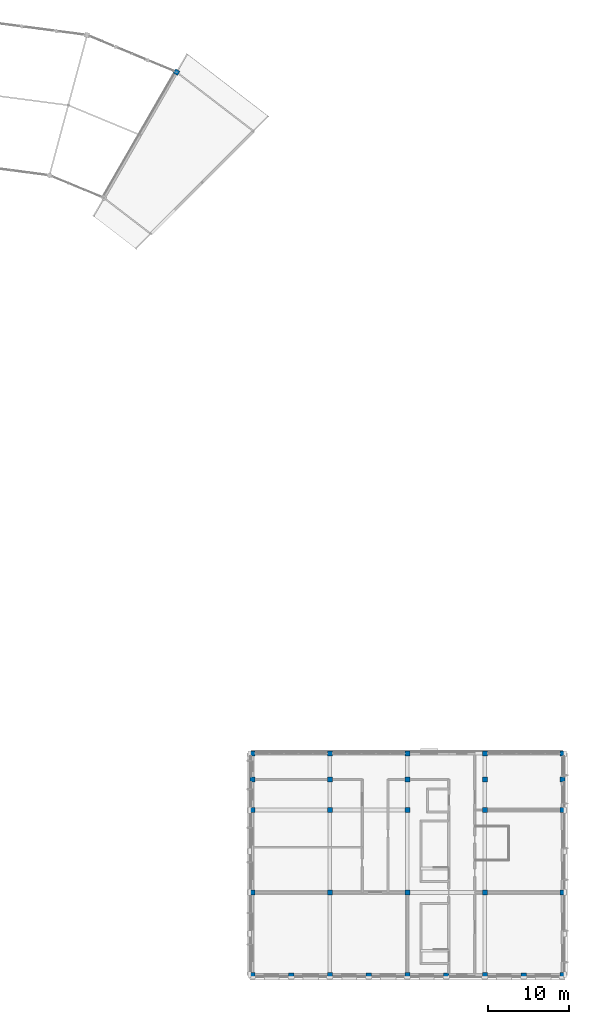
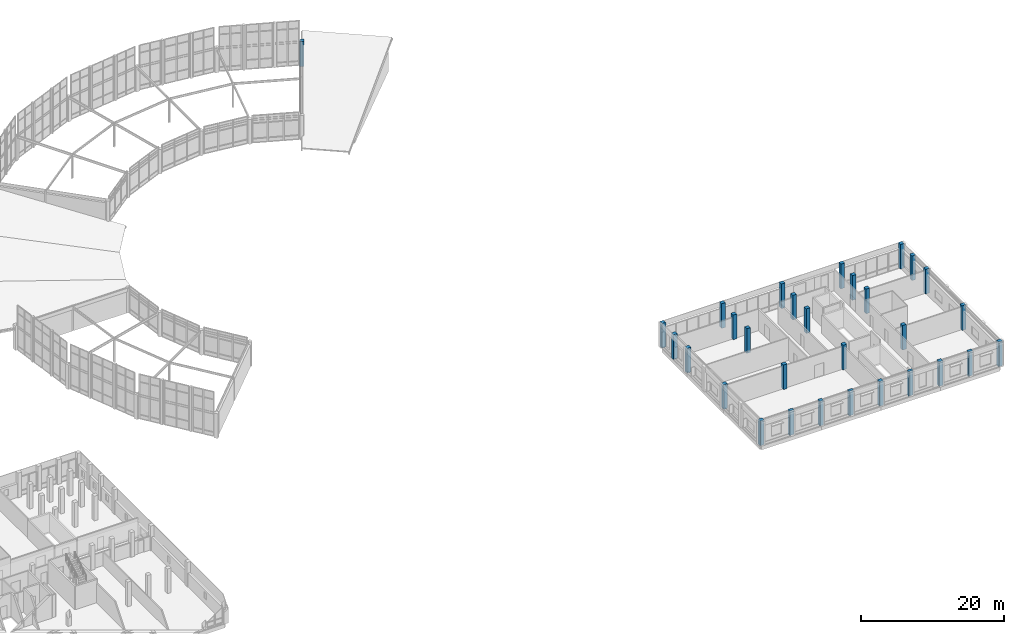
# One storey, part 7 of 93: 30 columns.
"""IFC4 building model written with IfcOpenShell, lengths in metres."""

from ifc_helpers import new_model, si_unit, direction, frame, origin, origin_2d, place, context, subcontext, project, spatial, rectangle, extrude, material, material_profile, profile_set, type_object, element, save


model = new_model("IFC4")

# Units and contexts
model_context = context("Model", 3, precision=1e-05, world=origin(), true_north=direction((0.0, 1.0)))
body_context = subcontext(model_context, "Body", "Model", "MODEL_VIEW")
ifc_project = project(units=[si_unit("LENGTHUNIT", "METRE"), si_unit("AREAUNIT", "SQUARE_METRE"), si_unit("VOLUMEUNIT", "CUBIC_METRE"), si_unit("PLANEANGLEUNIT", "RADIAN"), si_unit("MASSUNIT", "GRAM", prefix="KILO")], contexts=[model_context])

# Site, building, storey
site_placement = place(None, origin())
site = spatial("IfcSite", under=ifc_project, at=site_placement, CompositionType="ELEMENT")
building_placement = place(site_placement, origin())
building = spatial("IfcBuilding", under=site, at=building_placement, Name="Vondelvale Polytechnic", CompositionType="ELEMENT")
storey_placement = place(building_placement, frame((0.0, 0.0, 18.0)))
storey = spatial("IfcBuildingStorey", under=building, at=storey_placement, Name="L04", CompositionType="ELEMENT", Elevation=18.0)

# Columns
ifc_material = material(Name="Concrete N50 (f'c = 50 MPa)", Category="concrete")
ifc_material_profile_1 = material_profile(ifc_material, rectangle(XDim=0.60009765625, YDim=0.60009765625, at=origin_2d()), Name="RC-COL-600x600")
ifc_profile_set_1 = profile_set([ifc_material_profile_1], Name="Concrete N50 (f'c = 50 MPa)")
column_type_1 = type_object("IfcColumnType", Name="COL-RC600", PredefinedType="COLUMN", material=ifc_profile_set_1)
for number, where, z_axis, x_axis, name in (
    (1, (134.39990234375, 0.0, 0.0), (0.0, 0.0, 1.0), (1.0, 0.0, 0.0), "L04 lecture wing column (134.4,0.0)"),
    (2, (134.39990234375, 10.199951171875, 0.0), (0.0, 0.0, 1.0), (1.0, 0.0, 0.0), "L04 lecture wing column (134.4,10.2)"),
    (3, (134.39990234375, 20.39990234375, 0.0), (0.0, 0.0, 1.0), (1.0, 0.0, 0.0), "L04 lecture wing column (134.4,20.4)"),
    (4, (134.39990234375, 24.199951171875, 0.0), (0.0, 0.0, 1.0), (1.0, 0.0, 0.0), "L04 lecture wing column (134.4,24.2)"),
    (5, (134.39990234375, 27.39990234375, 0.0), (0.0, 0.0, 1.0), (1.0, 0.0, 0.0), "L04 lecture wing column (134.4,27.4)"),
    (6, (144.0, 0.0, 0.0), (0.0, 0.0, 1.0), (1.0, 0.0, 0.0), "L04 lecture wing column (144.0,0.0)"),
    (7, (144.0, 10.199951171875, 0.0), (0.0, 0.0, 1.0), (1.0, 0.0, 0.0), "L04 lecture wing column (144.0,10.2)"),
    (8, (144.0, 20.39990234375, 0.0), (0.0, 0.0, 1.0), (1.0, 0.0, 0.0), "L04 lecture wing column (144.0,20.4)"),
    (9, (144.0, 24.199951171875, 0.0), (0.0, 0.0, 1.0), (1.0, 0.0, 0.0), "L04 lecture wing column (144.0,24.2)"),
    (10, (144.0, 27.39990234375, 0.0), (0.0, 0.0, 1.0), (1.0, 0.0, 0.0), "L04 lecture wing column (144.0,27.4)"),
    (11, (153.60009765625, 0.0, 0.0), (0.0, 0.0, 1.0), (1.0, 0.0, 0.0), "L04 lecture wing column (153.6,0.0)"),
    (12, (153.60009765625, 10.199951171875, 0.0), (0.0, 0.0, 1.0), (1.0, 0.0, 0.0), "L04 lecture wing column (153.6,10.2)"),
    (13, (153.60009765625, 20.39990234375, 0.0), (0.0, 0.0, 1.0), (1.0, 0.0, 0.0), "L04 lecture wing column (153.6,20.4)"),
    (14, (153.60009765625, 24.199951171875, 0.0), (0.0, 0.0, 1.0), (1.0, 0.0, 0.0), "L04 lecture wing column (153.6,24.2)"),
    (15, (153.60009765625, 27.39990234375, 0.0), (0.0, 0.0, 1.0), (1.0, 0.0, 0.0), "L04 lecture wing column (153.6,27.4)"),
    (16, (163.199951171875, 0.0, 0.0), (0.0, 0.0, 1.0), (1.0, 0.0, 0.0), "L04 lecture wing column (163.2,0.0)"),
    (17, (163.199951171875, 10.199951171875, 0.0), (0.0, 0.0, 1.0), (1.0, 0.0, 0.0), "L04 lecture wing column (163.2,10.2)"),
    (18, (163.199951171875, 20.39990234375, 0.0), (0.0, 0.0, 1.0), (1.0, 0.0, 0.0), "L04 lecture wing column (163.2,20.4)"),
    (19, (163.199951171875, 24.199951171875, 0.0), (0.0, 0.0, 1.0), (1.0, 0.0, 0.0), "L04 lecture wing column (163.2,24.2)"),
    (20, (163.199951171875, 27.39990234375, 0.0), (0.0, 0.0, 1.0), (1.0, 0.0, 0.0), "L04 lecture wing column (163.2,27.4)"),
    (21, (172.800048828125, 0.0, 0.0), (0.0, 0.0, 1.0), (1.0, 0.0, 0.0), "L04 lecture wing column (172.8,0.0)"),
    (22, (172.800048828125, 10.199951171875, 0.0), (0.0, 0.0, 1.0), (1.0, 0.0, 0.0), "L04 lecture wing column (172.8,10.2)"),
    (23, (172.800048828125, 20.39990234375, 0.0), (0.0, 0.0, 1.0), (1.0, 0.0, 0.0), "L04 lecture wing column (172.8,20.4)"),
    (24, (172.800048828125, 24.199951171875, 0.0), (0.0, 0.0, 1.0), (1.0, 0.0, 0.0), "L04 lecture wing column (172.8,24.2)"),
    (25, (172.800048828125, 27.39990234375, 0.0), (0.0, 0.0, 1.0), (1.0, 0.0, 0.0), "L04 lecture wing column (172.8,27.4)"),
    (26, (125.0, 111.837158203125, 0.0), (0.0, 0.0, 1.0), (0.5, 0.866025403784, 0.0), "L04 courtyard ring column S04-RO"),
):
    element("IfcColumn", number, at=place(storey_placement, frame(where, z_axis=z_axis, x_axis=x_axis)), inside=storey, type_object=column_type_1, Name=name, PredefinedType="COLUMN", context=body_context, shape_type="SweptSolid", body=[
        extrude(rectangle(XDim=0.60009765625, YDim=0.60009765625, at=origin_2d()), origin(), (0.0, 0.0, 1.0), 4.199951171875),
    ])
ifc_material_profile_2 = material_profile(ifc_material, rectangle(XDim=0.449951171875, YDim=0.699951171875, at=origin_2d()), Name="RC-PIL-700x450")
ifc_profile_set_2 = profile_set([ifc_material_profile_2], Name="Concrete N50 (f'c = 50 MPa)")
column_type_2 = type_object("IfcColumnType", Name="PIL-RC700x450", PredefinedType="PILASTER", material=ifc_profile_set_2)
for number, where, z_axis, x_axis, name in (
    (27, (139.199951171875, 0.0, 0.0), (0.0, 0.0, 1.0), (0.0, 1.0, 0.0), "L04 Lecture wing South brick pilaster 1"),
    (28, (148.800048828125, 0.0, 0.0), (0.0, 0.0, 1.0), (0.0, 1.0, 0.0), "L04 Lecture wing South brick pilaster 2"),
    (29, (158.39990234375, 0.0, 0.0), (0.0, 0.0, 1.0), (0.0, 1.0, 0.0), "L04 Lecture wing South brick pilaster 3"),
    (30, (168.0, 0.0, 0.0), (0.0, 0.0, 1.0), (0.0, 1.0, 0.0), "L04 Lecture wing South brick pilaster 4"),
):
    element("IfcColumn", number, at=place(storey_placement, frame(where, z_axis=z_axis, x_axis=x_axis)), inside=storey, type_object=column_type_2, Name=name, PredefinedType="PILASTER", context=body_context, shape_type="SweptSolid", body=[
        extrude(rectangle(XDim=0.449951171875, YDim=0.699951171875, at=origin_2d()), origin(), (0.0, 0.0, 1.0), 4.199951171875),
    ])

save(model, "model.ifc")
